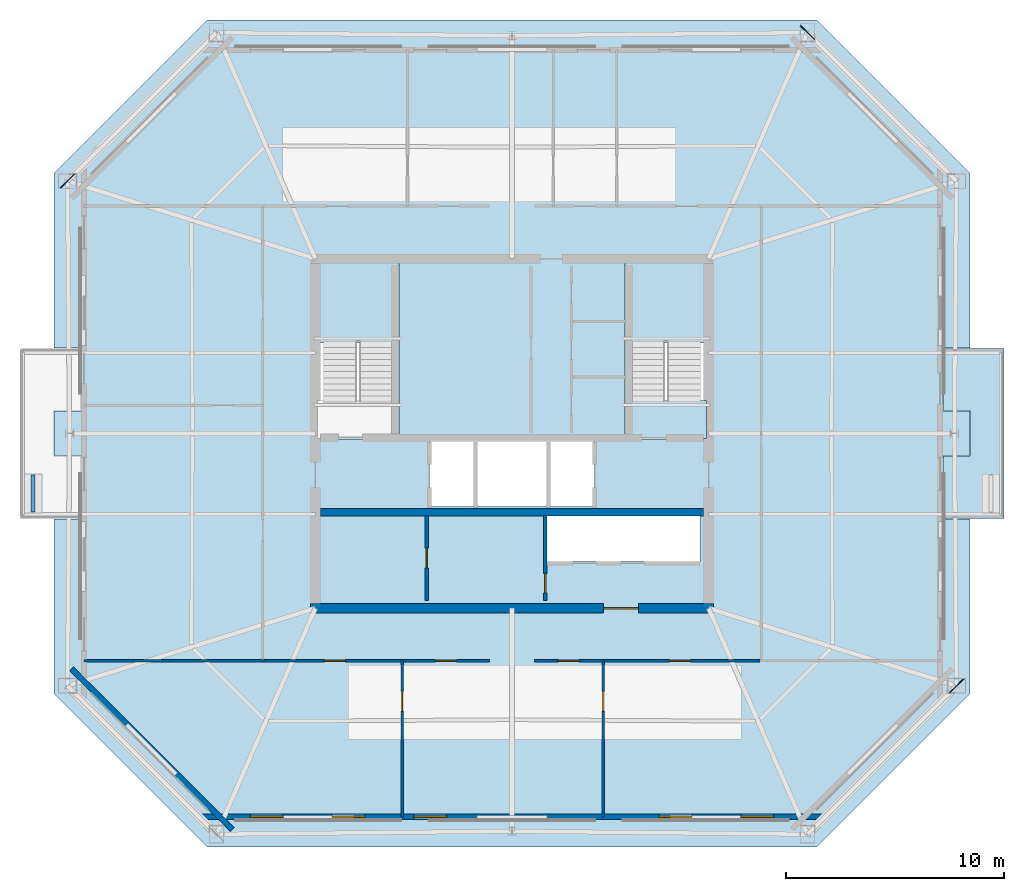
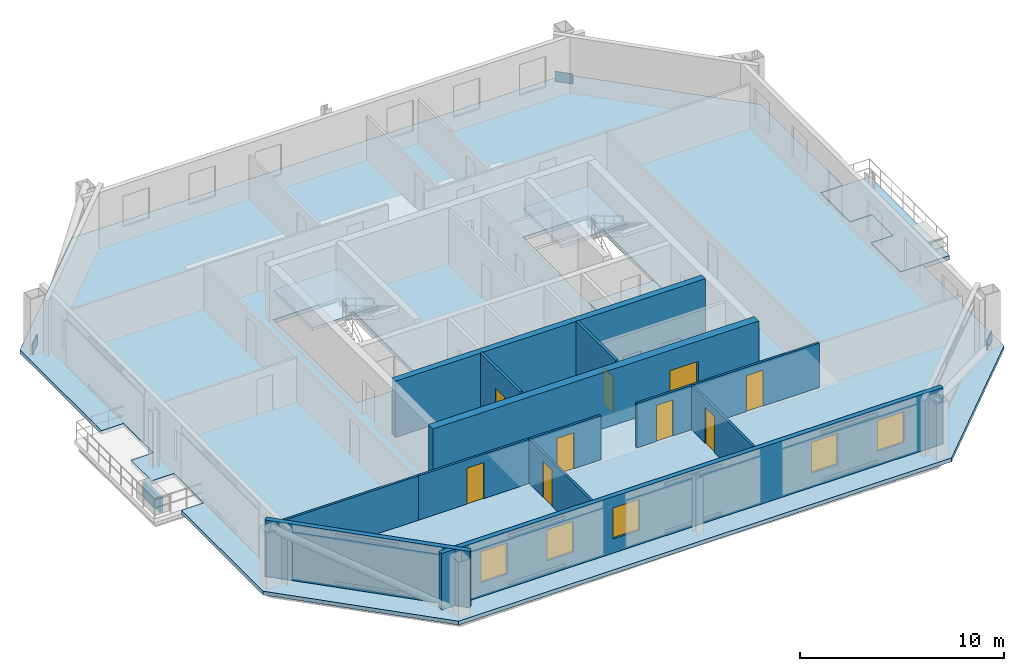
# One storey, part 2 of 7: 12 walls, 9 doors, 5 slabs, 5 windows, 3 plates, 14 openings, 2 elements without a shape of their own.
"""IFC4 building model written with IfcOpenShell, lengths in metres."""

from ifc_helpers import new_model, si_unit, direction, frame, frame_2d, origin, origin_2d, place, context, subcontext, project, spatial, polyline, rectangle, outline, extrude, material, layer, layer_set, type_object, element, fill, aggregate, save


model = new_model("IFC4")

# Units and contexts
model_context = context("Model", 3, precision=1e-05, world=origin(), true_north=direction((0.0, 1.0)))
body_context = subcontext(model_context, "Body", "Model", "MODEL_VIEW")
ifc_project = project(units=[si_unit("LENGTHUNIT", "METRE"), si_unit("AREAUNIT", "SQUARE_METRE"), si_unit("VOLUMEUNIT", "CUBIC_METRE"), si_unit("PLANEANGLEUNIT", "RADIAN"), si_unit("MASSUNIT", "GRAM", prefix="KILO")], contexts=[model_context])

# Site, building, storey
site_placement = place(None, origin())
site = spatial("IfcSite", under=ifc_project, at=site_placement, CompositionType="ELEMENT")
building_placement = place(site_placement, origin())
building = spatial("IfcBuilding", under=site, at=building_placement, Name="Caelvoria Tower", CompositionType="ELEMENT")
storey_placement = place(building_placement, frame((0.0, 0.0, 223.800048828125)))
storey = spatial("IfcBuildingStorey", under=building, at=storey_placement, Name="L59", CompositionType="ELEMENT", Elevation=223.800048828125)

# Plates
ifc_material_1 = material(Name="Structural Steel ASTM A572 Gr.50", Category="steel")
ifc_layer_1 = layer(ifc_material_1, 0.0400390625, Name="Structural Steel ASTM A572 Gr.50")
ifc_layer_set_1 = layer_set([ifc_layer_1], Name="Megaframe Node Gusset Plate 900x600x40 - Structural Steel ASTM A572 Gr.50")
plate_type = type_object("IfcPlateType", Name="Megaframe Node Gusset Plate 900x600x40", PredefinedType="USERDEFINED", material=ifc_layer_set_1)
for number, where, z_axis, x_axis, name in (
    (1, (66.3466796875, 20.4462890625, 0.02001953125), (0.0, 0.0, 1.0), (-0.708414984386, -0.705796153218, 0.0), "Chamfer Mega Brace Gusset L59 SE"),
    (2, (59.527099609375, 50.347900390625, 0.02001953125), (0.0, 0.0, 1.0), (0.708414984386, -0.705796153218, 0.0), "Chamfer Mega Brace Gusset L59 NE"),
    (3, (25.6533203125, 43.5537109375, 0.02001953125), (0.0, 0.0, 1.0), (0.708414984386, 0.705796153218, 0.0), "Chamfer Mega Brace Gusset L59 NW"),
):
    element("IfcPlate", number, at=place(storey_placement, frame(where, z_axis=z_axis, x_axis=x_axis)), inside=storey, type_object=plate_type, Name=name, ObjectType="GUSSET_PLATE", PredefinedType="USERDEFINED", context=body_context, shape_type="SweptSolid", body=[
        extrude(rectangle(XDim=0.89990234375, YDim=0.0400390625, at=origin_2d()), origin(), (0.0, 0.0, 1.0), 0.60009765625),
    ])

# Stair, slab
ifc_material_2 = material(Name="Concrete C40/50", Category="concrete")
stair_type = type_object("IfcStairType", Name="Core Smokeproof Dogleg Stair Concrete C40/50", PredefinedType="HALF_TURN_STAIR", material=ifc_material_2)
stair_1_placement = place(storey_placement, origin())
stair_1 = element("IfcStair", 4, at=stair_1_placement, inside=storey, type_object=stair_type, Name="ST-01 Smokeproof Exit Stair L59", PredefinedType="HALF_TURN_STAIR")
ifc_layer_2 = layer(ifc_material_2, 0.199951171875, Name="Concrete C40/50")
ifc_layer_set_2 = layer_set([ifc_layer_2], Name="Stair Half and Floor Landing Slab 200 Concrete C40/50 - Concrete C40/50")
slab_type_1 = type_object("IfcSlabType", Name="Stair Half and Floor Landing Slab 200 Concrete C40/50", PredefinedType="LANDING", material=ifc_layer_set_2)
slab_1_placement = place(storey_placement, frame((0.0, 0.0, 1.599853515625)))
slab_1 = element("IfcSlab", 5, at=slab_1_placement, type_object=slab_type_1, Name="ST-01 landing 2", PredefinedType="LANDING", context=body_context, shape_type="SweptSolid", body=[
    extrude(outline(polyline([(37.10009765625, 36.14990234375), (40.800048828125, 36.14990234375), (40.800048828125, 39.89990234375), (37.10009765625, 39.89990234375), (37.10009765625, 36.14990234375)])), origin(), (0.0, 0.0, 1.0), 0.2001953125),
])
aggregate(stair_1, [slab_1])

# Stair, slabs
stair_2_placement = place(storey_placement, origin())
stair_2 = element("IfcStair", 6, at=stair_2_placement, inside=storey, type_object=stair_type, Name="ST-02 Smokeproof Exit Stair L59", PredefinedType="HALF_TURN_STAIR")
slab_2_placement = place(storey_placement, frame((0.0, 0.0, -0.199951171875)))
slab_2 = element("IfcSlab", 7, at=slab_2_placement, type_object=slab_type_1, Name="ST-02 landing 1", PredefinedType="LANDING", context=body_context, shape_type="SweptSolid", body=[
    extrude(outline(polyline([(51.199951171875, 31.77001953125), (54.89990234375, 31.77001953125), (54.89990234375, 33.5), (51.199951171875, 33.5), (51.199951171875, 31.77001953125)])), origin(), (0.0, 0.0, 1.0), 0.199951171875),
])
slab_3_placement = place(storey_placement, frame((0.0, 0.0, 1.599853515625)))
slab_3 = element("IfcSlab", 8, at=slab_3_placement, type_object=slab_type_1, Name="ST-02 landing 2", PredefinedType="LANDING", context=body_context, shape_type="SweptSolid", body=[
    extrude(outline(polyline([(51.199951171875, 36.14990234375), (54.89990234375, 36.14990234375), (54.89990234375, 39.89990234375), (51.199951171875, 39.89990234375), (51.199951171875, 36.14990234375)])), origin(), (0.0, 0.0, 1.0), 0.2001953125),
])
aggregate(stair_2, [slab_2, slab_3])

# Slabs
ifc_material_3 = material(Name="Concrete C45/55", Category="concrete")
ifc_layer_3 = layer(ifc_material_3, 0.25, Name="Concrete C45/55")
ifc_layer_set_3 = layer_set([ifc_layer_3], Name="Tree Balcony Structural Planter Slab 250 - Concrete C45/55")
slab_type_2 = type_object("IfcSlabType", Name="Tree Balcony Structural Planter Slab 250", PredefinedType="FLOOR", material=ifc_layer_set_3)
slab_4_placement = place(storey_placement, frame((0.0, 0.0, -0.25)))
element("IfcSlab", 9, at=slab_4_placement, inside=storey, type_object=slab_type_2, Name="Tree Balcony Slab TB-L59-E", PredefinedType="FLOOR", context=body_context, shape_type="SweptSolid", body=[
    extrude(outline(polyline([(66.97265625, 35.89990234375), (65.732666015625, 35.89990234375), (65.732666015625, 33.0400390625), (66.97265625, 33.0400390625), (66.97265625, 30.9599609375), (65.732666015625, 30.9599609375), (65.732666015625, 28.10009765625), (66.97265625, 28.10009765625), (68.522705078125, 28.10009765625), (68.522705078125, 35.89990234375), (66.97265625, 35.89990234375)])), origin(), (0.0, 0.0, 1.0), 0.25),
])
ifc_layer_4 = layer(ifc_material_2, 0.22509765625, Name="Concrete C40/50")
ifc_layer_set_4 = layer_set([ifc_layer_4], Name="Upper Tower Composite Office Slab 225 - Concrete C40/50")
slab_type_3 = type_object("IfcSlabType", Name="Upper Tower Composite Office Slab 225", PredefinedType="FLOOR", material=ifc_layer_set_4)
slab_5_placement = place(storey_placement, frame((0.0, 0.0, -0.22509765625)))
element("IfcSlab", 10, at=slab_5_placement, inside=storey, type_object=slab_type_3, Name="Level L59 Structural Floor Slab", PredefinedType="FLOOR", context=body_context, shape_type="SweptSolid", body=[
    extrude(outline(polyline([(59.95458984375, 50.92724609375), (32.04541015625, 50.92724609375), (25.02734375, 43.9091796875), (25.02734375, 35.919921875), (26.287353515625, 35.919921875), (26.287353515625, 33.02001953125), (25.02734375, 33.02001953125), (25.02734375, 30.97998046875), (26.287353515625, 30.97998046875), (26.287353515625, 28.080078125), (25.02734375, 28.080078125), (25.02734375, 20.0908203125), (32.04541015625, 13.07275390625), (59.95458984375, 13.07275390625), (66.97265625, 20.0908203125), (66.97265625, 28.080078125), (65.712646484375, 28.080078125), (65.712646484375, 30.97998046875), (66.97265625, 30.97998046875), (66.97265625, 33.02001953125), (65.712646484375, 33.02001953125), (65.712646484375, 35.919921875), (66.97265625, 35.919921875), (66.97265625, 43.9091796875), (59.95458984375, 50.92724609375)]), holes=[polyline([(37.080078125, 31.75), (40.820068359375, 31.75), (40.820068359375, 39.919921875), (37.080078125, 39.919921875), (37.080078125, 31.75)]), polyline([(51.179931640625, 31.75), (54.919921875, 31.75), (54.919921875, 39.919921875), (51.179931640625, 39.919921875), (51.179931640625, 31.75)]), polyline([(42.25, 28.64990234375), (49.75, 28.64990234375), (49.75, 31.800048828125), (42.25, 31.800048828125), (42.25, 28.64990234375)]), polyline([(47.60009765625, 26.14990234375), (54.60009765625, 26.14990234375), (54.60009765625, 28.25), (47.60009765625, 28.25), (47.60009765625, 26.14990234375)])]), origin(), (0.0, 0.0, 1.0), 0.22509765625),
])

# Walls
ifc_material_4 = material(Name="Bronze-Clad Concrete C40/50", Category="concrete")
ifc_layer_5 = layer(ifc_material_4, 0.179931640625, Name="Bronze-Clad Concrete C40/50")
ifc_layer_set_5 = layer_set([ifc_layer_5], Name="Architectural Planter Kerb Wall 180 - Bronze-Clad Concrete C40/50")
wall_type_1 = type_object("IfcWallType", Name="Architectural Planter Kerb Wall 180", PredefinedType="PARAPET", material=ifc_layer_set_5)
wall_1_placement = place(storey_placement, frame((24.077392578125, 28.39990234375, 0.0), z_axis=(0.0, 0.0, 1.0), x_axis=(0.0, 1.0, 0.0)))
element("IfcWall", 11, at=wall_1_placement, inside=storey, type_object=wall_type_1, Name="Tree Balcony Planter Kerb PLANTER TB-L59-W", PredefinedType="PARAPET", context=body_context, shape_type="SweptSolid", body=[
    extrude(rectangle(XDim=1.7001953125, YDim=0.179931640625, at=frame_2d((0.85009765625, 0.0))), origin(), (0.0, 0.0, 1.0), 0.8798828125),
])
ifc_material_5 = material(Name="Concrete C50/60", Category="concrete")
ifc_layer_6 = layer(ifc_material_5, 0.35009765625, Name="Concrete C50/60")
ifc_layer_set_6 = layer_set([ifc_layer_6], Name="Core Internal Shear Wall 350 - Concrete C50/60")
wall_type_2 = type_object("IfcWallType", Name="Core Internal Shear Wall 350", PredefinedType="SHEAR", material=ifc_layer_set_6)
wall_2_placement = place(storey_placement, frame((37.22509765625, 28.39990234375, 0.0), z_axis=(0.0, 0.0, 1.0), x_axis=(1.0, 0.0, 0.0)))
element("IfcWall", 12, at=wall_2_placement, inside=storey, type_object=wall_type_2, Name="Core Shear Wall L59 M2", PredefinedType="SHEAR", context=body_context, shape_type="SweptSolid", body=[
    extrude(rectangle(XDim=17.5498046875, YDim=0.35009765625, at=frame_2d((8.77490234375, 0.0))), origin(), (0.0, 0.0, 1.0), 3.35986328125),
])

# Wall, opening, door
ifc_material_6 = material(Name="Double Gypsum Board on Steel Stud", Category="steel")
ifc_layer_7 = layer(ifc_material_6, 0.14990234375, Name="Double Gypsum Board on Steel Stud")
ifc_layer_set_7 = layer_set([ifc_layer_7], Name="Core Service Acoustic Partition Wall 150 - Double Gypsum Board on Steel Stud")
wall_type_3 = type_object("IfcWallType", Name="Core Service Acoustic Partition Wall 150", PredefinedType="PARTITIONING", material=ifc_layer_set_7)
wall_3_placement = place(storey_placement, frame((42.10009765625, 24.35009765625, 0.0), z_axis=(0.0, 0.0, 1.0), x_axis=(0.0, 1.0, 0.0)))
wall_3 = element("IfcWall", 13, at=wall_3_placement, inside=storey, type_object=wall_type_3, Name="Interior Partition IW-L59-RECL-MID", PredefinedType="PARTITIONING", context=body_context, shape_type="SweptSolid", body=[
    extrude(rectangle(XDim=3.89990234375, YDim=0.14990234375, at=frame_2d((1.949951171875, 0.0))), origin(), (0.0, 0.0, 1.0), 3.375),
])
opening_1_placement = place(wall_3_placement, frame((1.5, 0.0, 0.0)))
opening_1 = element("IfcOpeningElement", 14, at=opening_1_placement, cuts=wall_3, Name="Opening ID-06", PredefinedType="OPENING", context=body_context, shape_type="SweptSolid", body=[
    extrude(rectangle(XDim=0.89990234375, YDim=2.14990234375, at=frame_2d((0.449951171875, 1.074951171875))), frame((0.0, 0.0849609375, 0.0), z_axis=(0.0, -1.0, 0.0), x_axis=(1.0, 0.0, 0.0)), (0.0, 0.0, 1.0), 0.169921875),
])
ifc_material_7 = material(Name="Engineered Andean Oak Veneer Door", Category="wood")
door_type_1 = type_object("IfcDoorType", Name="Interior Timber Door 900x2150", OperationType="NOTDEFINED", PredefinedType="DOOR", material=ifc_material_7)
door_1_placement = place(opening_1_placement, origin())
door_1 = element("IfcDoor", 15, at=door_1_placement, inside=storey, type_object=door_type_1, Name="Interior Door DR-L59-RECL12", OperationType="SINGLE_SWING_LEFT", OverallHeight=2.14990234375, OverallWidth=0.89990234375, PredefinedType="DOOR", context=body_context, shape_type="SweptSolid", body=[
    extrude(rectangle(XDim=0.89990234375, YDim=2.14990234375, at=frame_2d((0.449951171875, 1.074951171875))), frame((0.0, 0.02490234375, 0.0), z_axis=(0.0, -1.0, 0.0), x_axis=(1.0, 0.0, 0.0)), (0.0, 0.0, 1.0), 0.050048828125),
])
fill(opening_1, door_1)

wall_4_placement = place(storey_placement, frame((47.52001953125, 24.35009765625, 0.0), z_axis=(0.0, 0.0, 1.0), x_axis=(0.0, 1.0, 0.0)))
wall_4 = element("IfcWall", 16, at=wall_4_placement, inside=storey, type_object=wall_type_3, Name="Interior Partition IW-L59-RECL2E", PredefinedType="PARTITIONING", context=body_context, shape_type="SweptSolid", body=[
    extrude(rectangle(XDim=3.89990234375, YDim=0.14990234375, at=frame_2d((1.949951171875, 0.0))), origin(), (0.0, 0.0, 1.0), 3.375),
])
opening_2_placement = place(wall_4_placement, frame((0.35009765625, 0.0, 0.0)))
opening_2 = element("IfcOpeningElement", 17, at=opening_2_placement, cuts=wall_4, Name="Opening ID-04", PredefinedType="OPENING", context=body_context, shape_type="SweptSolid", body=[
    extrude(rectangle(XDim=0.89990234375, YDim=2.14990234375, at=frame_2d((0.449951171875, 1.074951171875))), frame((0.0, 0.0849609375, 0.0), z_axis=(0.0, -1.0, 0.0), x_axis=(1.0, 0.0, 0.0)), (0.0, 0.0, 1.0), 0.169921875),
])
ifc_material_8 = material(Name="Acoustic Timber Fire Door", Category="wood")
door_type_2 = type_object("IfcDoorType", Name="Fire Door FD30S 900x2150", OperationType="NOTDEFINED", PredefinedType="DOOR", material=ifc_material_8)
door_2_placement = place(opening_2_placement, origin())
door_2 = element("IfcDoor", 18, at=door_2_placement, inside=storey, type_object=door_type_2, Name="Interior Door DR-L59-RECL2", OperationType="SINGLE_SWING_RIGHT", OverallHeight=2.14990234375, OverallWidth=0.89990234375, PredefinedType="DOOR", context=body_context, shape_type="SweptSolid", body=[
    extrude(rectangle(XDim=0.89990234375, YDim=2.14990234375, at=frame_2d((0.449951171875, 1.074951171875))), frame((0.0, 0.02490234375, 0.0), z_axis=(0.0, -1.0, 0.0), x_axis=(1.0, 0.0, 0.0)), (0.0, 0.0, 1.0), 0.050048828125),
])
fill(opening_2, door_2)

ifc_material_9 = material(Name="Acoustic Gypsum Board on Light-Gauge Stud", Category="gypsum")
ifc_layer_8 = layer(ifc_material_9, 0.1201171875, Name="Acoustic Gypsum Board on Light-Gauge Stud")
ifc_layer_set_8 = layer_set([ifc_layer_8], Name="Tenant Suite Acoustic Partition Wall 120 - Acoustic Gypsum Board on Light-Gauge Stud")
wall_type_4 = type_object("IfcWallType", Name="Tenant Suite Acoustic Partition Wall 120", PredefinedType="PARTITIONING", material=ifc_layer_set_8)
wall_5_placement = place(storey_placement, frame((40.98388671875, 21.590087890625, 0.0), z_axis=(0.0, 0.0, 1.0), x_axis=(0.0, -1.0, 0.0)))
wall_5 = element("IfcWall", 19, at=wall_5_placement, inside=storey, type_object=wall_type_4, Name="Interior Partition IW-L59-SD-00-0", PredefinedType="PARTITIONING", context=body_context, shape_type="SweptSolid", body=[
    extrude(rectangle(XDim=7.137451171875, YDim=0.1201171875, at=frame_2d((3.56884765625, 0.0))), origin(), (0.0, 0.0, 1.0), 2.655029296875),
])
opening_3_placement = place(wall_5_placement, frame((1.39990234375, 0.0, 0.0)))
opening_3 = element("IfcOpeningElement", 20, at=opening_3_placement, cuts=wall_5, Name="Opening ID-06", PredefinedType="OPENING", context=body_context, shape_type="SweptSolid", body=[
    extrude(rectangle(XDim=0.89990234375, YDim=2.14990234375, at=frame_2d((0.449951171875, 1.074951171875))), frame((0.0, 0.070068359375, 0.0), z_axis=(0.0, -1.0, 0.0), x_axis=(1.0, 0.0, 0.0)), (0.0, 0.0, 1.0), 0.14013671875),
])
door_3_placement = place(opening_3_placement, origin())
door_3 = element("IfcDoor", 21, at=door_3_placement, inside=storey, type_object=door_type_1, Name="Interior Door DR-L59-SM-00-0", OperationType="SINGLE_SWING_RIGHT", OverallHeight=2.14990234375, OverallWidth=0.89990234375, PredefinedType="DOOR", context=body_context, shape_type="SweptSolid", body=[
    extrude(rectangle(XDim=0.89990234375, YDim=2.14990234375, at=frame_2d((0.449951171875, 1.074951171875))), frame((0.0, 0.02490234375, 0.0), z_axis=(0.0, -1.0, 0.0), x_axis=(1.0, 0.0, 0.0)), (0.0, 0.0, 1.0), 0.050048828125),
])
fill(opening_3, door_3)

wall_6_placement = place(storey_placement, frame((50.177490234375, 21.590087890625, 0.0), z_axis=(0.0, 0.0, 1.0), x_axis=(0.0, -1.0, 0.0)))
wall_6 = element("IfcWall", 22, at=wall_6_placement, inside=storey, type_object=wall_type_4, Name="Interior Partition IW-L59-SD-01-0", PredefinedType="PARTITIONING", context=body_context, shape_type="SweptSolid", body=[
    extrude(rectangle(XDim=7.137451171875, YDim=0.1201171875, at=frame_2d((3.56884765625, 0.0))), origin(), (0.0, 0.0, 1.0), 2.655029296875),
])
opening_4_placement = place(wall_6_placement, frame((1.39990234375, 0.0, 0.0)))
opening_4 = element("IfcOpeningElement", 23, at=opening_4_placement, cuts=wall_6, Name="Opening ID-06", PredefinedType="OPENING", context=body_context, shape_type="SweptSolid", body=[
    extrude(rectangle(XDim=0.89990234375, YDim=2.14990234375, at=frame_2d((0.449951171875, 1.074951171875))), frame((0.0, 0.070068359375, 0.0), z_axis=(0.0, -1.0, 0.0), x_axis=(1.0, 0.0, 0.0)), (0.0, 0.0, 1.0), 0.14013671875),
])
door_4_placement = place(opening_4_placement, origin())
door_4 = element("IfcDoor", 24, at=door_4_placement, inside=storey, type_object=door_type_1, Name="Interior Door DR-L59-SM-01-0", OperationType="SINGLE_SWING_LEFT", OverallHeight=2.14990234375, OverallWidth=0.89990234375, PredefinedType="DOOR", context=body_context, shape_type="SweptSolid", body=[
    extrude(rectangle(XDim=0.89990234375, YDim=2.14990234375, at=frame_2d((0.449951171875, 1.074951171875))), frame((0.0, 0.02490234375, 0.0), z_axis=(0.0, -1.0, 0.0), x_axis=(1.0, 0.0, 0.0)), (0.0, 0.0, 1.0), 0.050048828125),
])
fill(opening_4, door_4)

# Wall, openings, doors
wall_7_placement = place(storey_placement, frame((34.64990234375, 21.590087890625, 0.0), z_axis=(0.0, 0.0, 1.0), x_axis=(1.0, 0.0, 0.0)))
wall_7 = element("IfcWall", 25, at=wall_7_placement, inside=storey, type_object=wall_type_4, Name="Interior Partition IW-L59-SCW-0", PredefinedType="PARTITIONING", context=body_context, shape_type="SweptSolid", body=[
    extrude(rectangle(XDim=10.330078125, YDim=0.1201171875, at=frame_2d((5.1650390625, 0.0))), origin(), (0.0, 0.0, 1.0), 2.655029296875),
])
opening_5_placement = place(wall_7_placement, frame((2.761962890625, 0.0, 0.0)))
opening_5 = element("IfcOpeningElement", 26, at=opening_5_placement, cuts=wall_7, Name="Opening ID-05", PredefinedType="OPENING", context=body_context, shape_type="SweptSolid", body=[
    extrude(rectangle(XDim=0.949951171875, YDim=2.14990234375, at=frame_2d((0.47509765625, 1.074951171875))), frame((0.0, 0.070068359375, 0.0), z_axis=(0.0, -1.0, 0.0), x_axis=(1.0, 0.0, 0.0)), (0.0, 0.0, 1.0), 0.14013671875),
])
opening_6_placement = place(wall_7_placement, frame((7.85693359375, 0.0, 0.0)))
opening_6 = element("IfcOpeningElement", 27, at=opening_6_placement, cuts=wall_7, Name="Opening ID-05", PredefinedType="OPENING", context=body_context, shape_type="SweptSolid", body=[
    extrude(rectangle(XDim=0.949951171875, YDim=2.14990234375, at=frame_2d((0.47509765625, 1.074951171875))), frame((0.0, 0.070068359375, 0.0), z_axis=(0.0, -1.0, 0.0), x_axis=(1.0, 0.0, 0.0)), (0.0, 0.0, 1.0), 0.14013671875),
])
door_type_3 = type_object("IfcDoorType", Name="Interior Timber Door 950x2150", OperationType="NOTDEFINED", PredefinedType="DOOR", material=ifc_material_7)
door_5_placement = place(opening_5_placement, origin())
door_5 = element("IfcDoor", 28, at=door_5_placement, inside=storey, type_object=door_type_3, Name="Interior Door DR-L59-SC-00-0", OperationType="SINGLE_SWING_RIGHT", OverallHeight=2.14990234375, OverallWidth=0.949951171875, PredefinedType="DOOR", context=body_context, shape_type="SweptSolid", body=[
    extrude(rectangle(XDim=0.949951171875, YDim=2.14990234375, at=frame_2d((0.47509765625, 1.074951171875))), frame((0.0, 0.02490234375, 0.0), z_axis=(0.0, -1.0, 0.0), x_axis=(1.0, 0.0, 0.0)), (0.0, 0.0, 1.0), 0.050048828125),
])
fill(opening_5, door_5)
door_6_placement = place(opening_6_placement, origin())
door_6 = element("IfcDoor", 29, at=door_6_placement, inside=storey, type_object=door_type_3, Name="Interior Door DR-L59-SC-01-0", OperationType="SINGLE_SWING_LEFT", OverallHeight=2.14990234375, OverallWidth=0.949951171875, PredefinedType="DOOR", context=body_context, shape_type="SweptSolid", body=[
    extrude(rectangle(XDim=0.949951171875, YDim=2.14990234375, at=frame_2d((0.47509765625, 1.074951171875))), frame((0.0, 0.02490234375, 0.0), z_axis=(0.0, -1.0, 0.0), x_axis=(1.0, 0.0, 0.0)), (0.0, 0.0, 1.0), 0.050048828125),
])
fill(opening_6, door_6)

wall_8_placement = place(storey_placement, frame((47.02001953125, 21.590087890625, 0.0), z_axis=(0.0, 0.0, 1.0), x_axis=(1.0, 0.0, 0.0)))
wall_8 = element("IfcWall", 30, at=wall_8_placement, inside=storey, type_object=wall_type_4, Name="Interior Partition IW-L59-SCW-1", PredefinedType="PARTITIONING", context=body_context, shape_type="SweptSolid", body=[
    extrude(rectangle(XDim=10.330078125, YDim=0.1201171875, at=frame_2d((5.1650390625, 0.0))), origin(), (0.0, 0.0, 1.0), 2.655029296875),
])
opening_7_placement = place(wall_8_placement, frame((1.103759765625, 0.0, 0.0)))
opening_7 = element("IfcOpeningElement", 31, at=opening_7_placement, cuts=wall_8, Name="Opening ID-05", PredefinedType="OPENING", context=body_context, shape_type="SweptSolid", body=[
    extrude(rectangle(XDim=0.949951171875, YDim=2.14990234375, at=frame_2d((0.47509765625, 1.074951171875))), frame((0.0, 0.070068359375, 0.0), z_axis=(0.0, -1.0, 0.0), x_axis=(1.0, 0.0, 0.0)), (0.0, 0.0, 1.0), 0.14013671875),
])
opening_8_placement = place(wall_8_placement, frame((6.19873046875, 0.0, 0.0)))
opening_8 = element("IfcOpeningElement", 32, at=opening_8_placement, cuts=wall_8, Name="Opening ID-05", PredefinedType="OPENING", context=body_context, shape_type="SweptSolid", body=[
    extrude(rectangle(XDim=0.949951171875, YDim=2.14990234375, at=frame_2d((0.47509765625, 1.074951171875))), frame((0.0, 0.070068359375, 0.0), z_axis=(0.0, -1.0, 0.0), x_axis=(1.0, 0.0, 0.0)), (0.0, 0.0, 1.0), 0.14013671875),
])
door_7_placement = place(opening_7_placement, origin())
door_7 = element("IfcDoor", 33, at=door_7_placement, inside=storey, type_object=door_type_3, Name="Interior Door DR-L59-SC-01-1", OperationType="SINGLE_SWING_RIGHT", OverallHeight=2.14990234375, OverallWidth=0.949951171875, PredefinedType="DOOR", context=body_context, shape_type="SweptSolid", body=[
    extrude(rectangle(XDim=0.949951171875, YDim=2.14990234375, at=frame_2d((0.47509765625, 1.074951171875))), frame((0.0, 0.02490234375, 0.0), z_axis=(0.0, -1.0, 0.0), x_axis=(1.0, 0.0, 0.0)), (0.0, 0.0, 1.0), 0.050048828125),
])
fill(opening_7, door_7)
door_8_placement = place(opening_8_placement, origin())
door_8 = element("IfcDoor", 34, at=door_8_placement, inside=storey, type_object=door_type_3, Name="Interior Door DR-L59-SC-02-0", OperationType="SINGLE_SWING_RIGHT", OverallHeight=2.14990234375, OverallWidth=0.949951171875, PredefinedType="DOOR", context=body_context, shape_type="SweptSolid", body=[
    extrude(rectangle(XDim=0.949951171875, YDim=2.14990234375, at=frame_2d((0.47509765625, 1.074951171875))), frame((0.0, 0.02490234375, 0.0), z_axis=(0.0, -1.0, 0.0), x_axis=(1.0, 0.0, 0.0)), (0.0, 0.0, 1.0), 0.050048828125),
])
fill(opening_8, door_8)

# Wall
wall_9_placement = place(storey_placement, frame((34.64990234375, 21.590087890625, 0.0), z_axis=(0.0, 0.0, 1.0), x_axis=(-1.0, 0.0, 0.0)))
element("IfcWall", 35, at=wall_9_placement, inside=storey, type_object=wall_type_4, Name="Interior Partition IW-L59-BSW-0", PredefinedType="PARTITIONING", context=body_context, shape_type="SweptSolid", body=[
    extrude(rectangle(XDim=8.24267578125, YDim=0.1201171875, at=frame_2d((4.121337890625, 0.0))), origin(), (0.0, 0.0, 1.0), 2.655029296875),
])

# Wall, opening, door
ifc_layer_9 = layer(ifc_material_5, 0.449951171875, Name="Concrete C50/60")
ifc_layer_set_9 = layer_set([ifc_layer_9], Name="Upper Core Shear Wall 450 - Concrete C50/60")
wall_type_5 = type_object("IfcWallType", Name="Upper Core Shear Wall 450", PredefinedType="SHEAR", material=ifc_layer_set_9)
wall_10_placement = place(storey_placement, frame((36.77490234375, 24.0, 0.0), z_axis=(0.0, 0.0, 1.0), x_axis=(1.0, 0.0, 0.0)))
wall_10 = element("IfcWall", 36, at=wall_10_placement, inside=storey, type_object=wall_type_5, Name="Core Shear Wall L59 S", PredefinedType="SHEAR", context=body_context, shape_type="SweptSolid", body=[
    extrude(rectangle(XDim=18.4501953125, YDim=0.449951171875, at=frame_2d((9.22509765625, 0.0))), origin(), (0.0, 0.0, 1.0), 3.35986328125),
])
opening_9_placement = place(wall_10_placement, frame((13.425048828125, 0.0, 0.0)))
opening_9 = element("IfcOpeningElement", 37, at=opening_9_placement, cuts=wall_10, Name="Opening ID-08", PredefinedType="OPENING", context=body_context, shape_type="SweptSolid", body=[
    extrude(rectangle(XDim=1.60009765625, YDim=2.14990234375, at=frame_2d((0.800048828125, 1.074951171875))), frame((0.0, 0.23486328125, 0.0), z_axis=(0.0, -1.0, 0.0), x_axis=(1.0, 0.0, 0.0)), (0.0, 0.0, 1.0), 0.469970703125),
])
ifc_material_10 = material(Name="Bronze-Framed Fire-Rated Glazed Double Door", Category="aluminium")
door_type_4 = type_object("IfcDoorType", Name="Double Lobby Glazed Door 1600x2200", OperationType="NOTDEFINED", PredefinedType="DOOR", material=ifc_material_10)
door_9_placement = place(opening_9_placement, origin())
door_9 = element("IfcDoor", 38, at=door_9_placement, inside=storey, type_object=door_type_4, Name="Core Door DR-L59-LLOB-S2", OperationType="DOUBLE_DOOR_SINGLE_SWING", OverallHeight=2.14990234375, OverallWidth=1.60009765625, PredefinedType="DOOR", context=body_context, shape_type="SweptSolid", body=[
    extrude(rectangle(XDim=1.60009765625, YDim=2.14990234375, at=frame_2d((0.800048828125, 1.074951171875))), frame((0.0, 0.02490234375, 0.0), z_axis=(0.0, -1.0, 0.0), x_axis=(1.0, 0.0, 0.0)), (0.0, 0.0, 1.0), 0.050048828125),
])
fill(opening_9, door_9)

# Wall, openings, windows
ifc_material_11 = material(Name="Precast Concrete C40/50 with Bronze Cladding", Category="concrete")
ifc_layer_10 = layer(ifc_material_11, 0.264892578125, Name="Precast Concrete C40/50 with Bronze Cladding")
ifc_layer_set_10 = layer_set([ifc_layer_10], Name="Upper Taper Precast Concrete C40/50 Bronze Facade Wall 265 - Precast Concrete C40/50 with Bronze Cladding")
wall_type_6 = type_object("IfcWallType", Name="Upper Taper Precast Concrete C40/50 Bronze Facade Wall 265", PredefinedType="STANDARD", material=ifc_layer_set_10)
wall_11_placement = place(storey_placement, frame((31.805419921875, 14.45263671875, 0.0), z_axis=(0.0, 0.0, 1.0), x_axis=(1.0, 0.0, 0.0)))
wall_11 = element("IfcWall", 39, at=wall_11_placement, inside=storey, type_object=wall_type_6, Name="Exterior Facade Wall L59-E0", PredefinedType="STANDARD", context=body_context, shape_type="SweptSolid", body=[
    extrude(rectangle(XDim=28.38916015625, YDim=0.264892578125, at=frame_2d((14.194580078125, 0.0))), origin(), (0.0, 0.0, 1.0), 3.375),
])
opening_10_placement = place(wall_11_placement, frame((2.220703125, 0.0, 0.85009765625)))
opening_10 = element("IfcOpeningElement", 40, at=opening_10_placement, cuts=wall_11, Name="Opening WN-03", PredefinedType="OPENING", context=body_context, shape_type="SweptSolid", body=[
    extrude(rectangle(XDim=1.5, YDim=1.85009765625, at=frame_2d((0.75, 0.925048828125))), frame((0.0, 0.142333984375, 0.0), z_axis=(0.0, -1.0, 0.0), x_axis=(1.0, 0.0, 0.0)), (0.0, 0.0, 1.0), 0.284912109375),
])
opening_11_placement = place(wall_11_placement, frame((5.9619140625, 0.0, 0.85009765625)))
opening_11 = element("IfcOpeningElement", 41, at=opening_11_placement, cuts=wall_11, Name="Opening WN-03", PredefinedType="OPENING", context=body_context, shape_type="SweptSolid", body=[
    extrude(rectangle(XDim=1.5, YDim=1.85009765625, at=frame_2d((0.75, 0.925048828125))), frame((0.0, 0.142333984375, 0.0), z_axis=(0.0, -1.0, 0.0), x_axis=(1.0, 0.0, 0.0)), (0.0, 0.0, 1.0), 0.284912109375),
])
opening_12_placement = place(wall_11_placement, frame((9.703125, 0.0, 0.85009765625)))
opening_12 = element("IfcOpeningElement", 42, at=opening_12_placement, cuts=wall_11, Name="Opening WN-03", PredefinedType="OPENING", context=body_context, shape_type="SweptSolid", body=[
    extrude(rectangle(XDim=1.5, YDim=1.85009765625, at=frame_2d((0.75, 0.925048828125))), frame((0.0, 0.142333984375, 0.0), z_axis=(0.0, -1.0, 0.0), x_axis=(1.0, 0.0, 0.0)), (0.0, 0.0, 1.0), 0.284912109375),
])
opening_13_placement = place(wall_11_placement, frame((20.927001953125, 0.0, 0.85009765625)))
opening_13 = element("IfcOpeningElement", 43, at=opening_13_placement, cuts=wall_11, Name="Opening WN-03", PredefinedType="OPENING", context=body_context, shape_type="SweptSolid", body=[
    extrude(rectangle(XDim=1.5, YDim=1.85009765625, at=frame_2d((0.75, 0.925048828125))), frame((0.0, 0.142333984375, 0.0), z_axis=(0.0, -1.0, 0.0), x_axis=(1.0, 0.0, 0.0)), (0.0, 0.0, 1.0), 0.284912109375),
])
opening_14_placement = place(wall_11_placement, frame((24.66845703125, 0.0, 0.85009765625)))
opening_14 = element("IfcOpeningElement", 44, at=opening_14_placement, cuts=wall_11, Name="Opening WN-03", PredefinedType="OPENING", context=body_context, shape_type="SweptSolid", body=[
    extrude(rectangle(XDim=1.5, YDim=1.85009765625, at=frame_2d((0.75, 0.925048828125))), frame((0.0, 0.142333984375, 0.0), z_axis=(0.0, -1.0, 0.0), x_axis=(1.0, 0.0, 0.0)), (0.0, 0.0, 1.0), 0.284912109375),
])
ifc_material_12 = material(Name="Low-E Tinted Glass in Bronze Aluminium Frame", Category="aluminium")
window_type = type_object("IfcWindowType", Name="Upper Taper Vision Window 1500x1850", PartitioningType="SINGLE_PANEL", PredefinedType="WINDOW", material=ifc_material_12)
window_1_placement = place(opening_10_placement, origin())
window_1 = element("IfcWindow", 45, at=window_1_placement, inside=storey, type_object=window_type, Name="Facade Window L59-E0-00", OverallHeight=1.85009765625, OverallWidth=1.5, PartitioningType="SINGLE_PANEL", PredefinedType="WINDOW", context=body_context, shape_type="SweptSolid", body=[
    extrude(rectangle(XDim=1.5, YDim=1.85009765625, at=frame_2d((0.75, 0.925048828125))), frame((0.0, 0.030029296875, 0.0), z_axis=(0.0, -1.0, 0.0), x_axis=(1.0, 0.0, 0.0)), (0.0, 0.0, 1.0), 0.06005859375),
])
fill(opening_10, window_1)
window_2_placement = place(opening_11_placement, origin())
window_2 = element("IfcWindow", 46, at=window_2_placement, inside=storey, type_object=window_type, Name="Facade Window L59-E0-01", OverallHeight=1.85009765625, OverallWidth=1.5, PartitioningType="SINGLE_PANEL", PredefinedType="WINDOW", context=body_context, shape_type="SweptSolid", body=[
    extrude(rectangle(XDim=1.5, YDim=1.85009765625, at=frame_2d((0.75, 0.925048828125))), frame((0.0, 0.030029296875, 0.0), z_axis=(0.0, -1.0, 0.0), x_axis=(1.0, 0.0, 0.0)), (0.0, 0.0, 1.0), 0.06005859375),
])
fill(opening_11, window_2)
window_3_placement = place(opening_12_placement, origin())
window_3 = element("IfcWindow", 47, at=window_3_placement, inside=storey, type_object=window_type, Name="Facade Window L59-E0-02", OverallHeight=1.85009765625, OverallWidth=1.5, PartitioningType="SINGLE_PANEL", PredefinedType="WINDOW", context=body_context, shape_type="SweptSolid", body=[
    extrude(rectangle(XDim=1.5, YDim=1.85009765625, at=frame_2d((0.75, 0.925048828125))), frame((0.0, 0.030029296875, 0.0), z_axis=(0.0, -1.0, 0.0), x_axis=(1.0, 0.0, 0.0)), (0.0, 0.0, 1.0), 0.06005859375),
])
fill(opening_12, window_3)
window_4_placement = place(opening_13_placement, origin())
window_4 = element("IfcWindow", 48, at=window_4_placement, inside=storey, type_object=window_type, Name="Facade Window L59-E0-05", OverallHeight=1.85009765625, OverallWidth=1.5, PartitioningType="SINGLE_PANEL", PredefinedType="WINDOW", context=body_context, shape_type="SweptSolid", body=[
    extrude(rectangle(XDim=1.5, YDim=1.85009765625, at=frame_2d((0.75, 0.925048828125))), frame((0.0, 0.030029296875, 0.0), z_axis=(0.0, -1.0, 0.0), x_axis=(1.0, 0.0, 0.0)), (0.0, 0.0, 1.0), 0.06005859375),
])
fill(opening_13, window_4)
window_5_placement = place(opening_14_placement, origin())
window_5 = element("IfcWindow", 49, at=window_5_placement, inside=storey, type_object=window_type, Name="Facade Window L59-E0-06", OverallHeight=1.85009765625, OverallWidth=1.5, PartitioningType="SINGLE_PANEL", PredefinedType="WINDOW", context=body_context, shape_type="SweptSolid", body=[
    extrude(rectangle(XDim=1.5, YDim=1.85009765625, at=frame_2d((0.75, 0.925048828125))), frame((0.0, 0.030029296875, 0.0), z_axis=(0.0, -1.0, 0.0), x_axis=(1.0, 0.0, 0.0)), (0.0, 0.0, 1.0), 0.06005859375),
])
fill(opening_14, window_5)

# Wall
wall_12_placement = place(storey_placement, frame((25.83349609375, 21.236328125, 0.0), z_axis=(0.0, 0.0, 1.0), x_axis=(0.707106781187, -0.707106781187, 0.0)))
element("IfcWall", 50, at=wall_12_placement, inside=storey, type_object=wall_type_6, Name="Exterior Facade Wall L59-E7", PredefinedType="STANDARD", context=body_context, shape_type="SweptSolid", body=[
    extrude(rectangle(XDim=10.405029296875, YDim=0.264892578125, at=frame_2d((5.20263671875, 0.0))), origin(), (0.0, 0.0, 1.0), 3.375),
])

save(model, "model.ifc")
